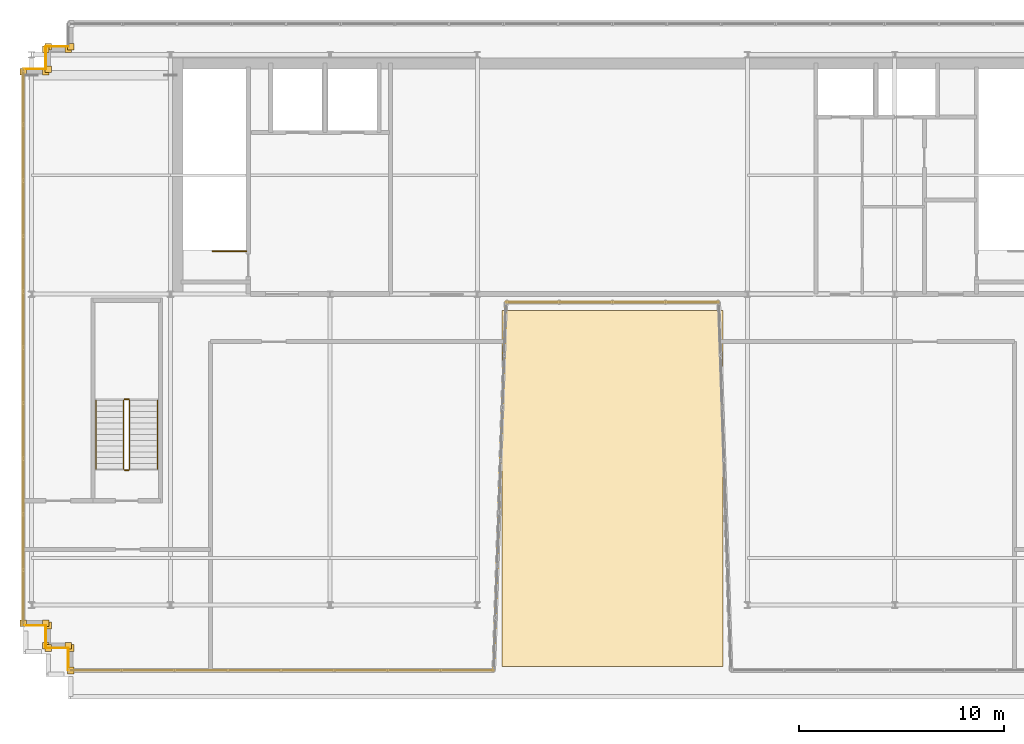
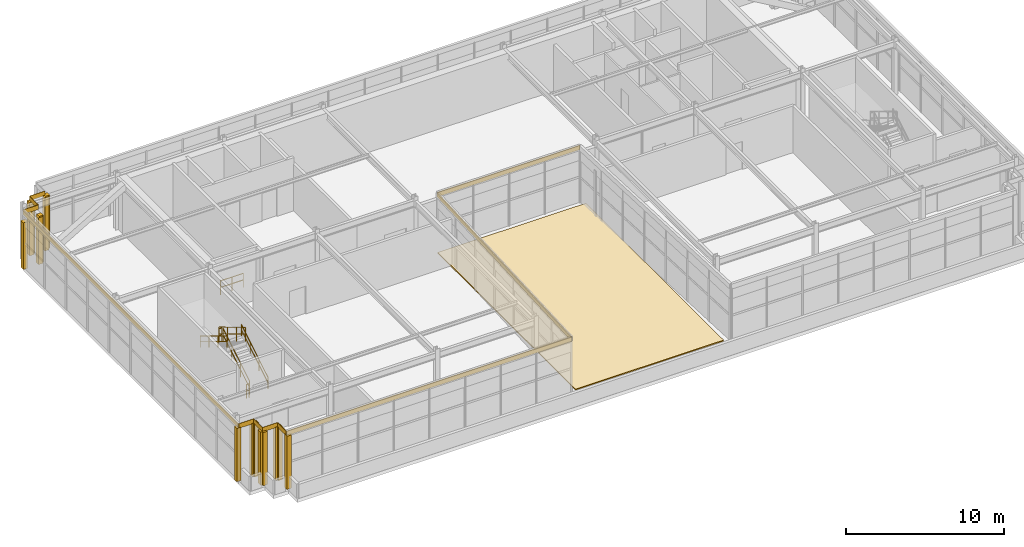
# One storey, part 35 of 37: 27 coverings, 7 railings.
"""IFC4 building model written with IfcOpenShell, lengths in metres."""

from ifc_helpers import new_model, si_unit, direction, frame, origin, origin_2d, place, context, subcontext, project, spatial, polyline, rectangle, outline, extrude, source, transform, mapped, material, layer, layer_set, type_object, element, save


model = new_model("IFC4")

# Units and contexts
model_context = context("Model", 3, precision=1e-05, world=origin(), true_north=direction((0.0, 1.0)))
body_context = subcontext(model_context, "Body", "Model", "MODEL_VIEW")
ifc_project = project(units=[si_unit("LENGTHUNIT", "METRE"), si_unit("AREAUNIT", "SQUARE_METRE"), si_unit("VOLUMEUNIT", "CUBIC_METRE"), si_unit("PLANEANGLEUNIT", "RADIAN"), si_unit("MASSUNIT", "GRAM", prefix="KILO")], contexts=[model_context])

# Site, building, storey
site_placement = place(None, origin())
site = spatial("IfcSite", under=ifc_project, at=site_placement, CompositionType="ELEMENT")
building_placement = place(site_placement, origin())
building = spatial("IfcBuilding", under=site, at=building_placement, Name="Trelvane Seafront Commons", CompositionType="ELEMENT")
storey_placement = place(building_placement, frame((0.0, 0.0, 303.5)))
storey = spatial("IfcBuildingStorey", under=building, at=storey_placement, Name="L79", CompositionType="ELEMENT", Elevation=303.5)

# Covering
ifc_material_1 = material(Name="Polymer-Modified Bitumen Membrane")
ifc_layer_1 = layer(ifc_material_1, 0.080078125, Name="ARCH-COV-ROOF80")
ifc_layer_set_1 = layer_set([ifc_layer_1], Name="Polymer-Modified Bitumen Membrane")
covering_type_1 = type_object("IfcCoveringType", Name="ARCH-COV-ROOF80", PredefinedType="ROOFING", material=ifc_layer_set_1)
covering_1_placement = place(storey_placement, origin())
element("IfcCovering", 1, at=covering_1_placement, inside=storey, type_object=covering_type_1, Name="COV-ROOF-L79-07", PredefinedType="ROOFING", context=body_context, shape_type="SweptSolid", body=[
    extrude(outline(polyline([(31.800048828125, 15.199951171875), (42.60009765625, 15.199951171875), (42.60009765625, 32.60009765625), (31.800048828125, 32.60009765625), (31.800048828125, 15.199951171875)])), origin(), (0.0, 0.0, 1.0), 0.080078125),
])

# Railings
ifc_material_2 = material(Name="Stainless steel balustrade", Category="steel")
railing_type_1 = type_object("IfcRailingType", Name="ARCH-SRL-GUARD", PredefinedType="GUARDRAIL", material=ifc_material_2)
railing_1_placement = place(storey_placement, frame((19.300048828125, 35.5, 0.0)))
element("IfcRailing", 2, at=railing_1_placement, inside=storey, type_object=railing_type_1, Name="L79 ST-1 top well guard 1", PredefinedType="GUARDRAIL", context=body_context, shape_type="SweptSolid", body=[
    extrude(rectangle(XDim=0.048095703125, YDim=0.048095703125, at=origin_2d()), frame((0.0, 0.0, 1.076171875), z_axis=(-1.0, 0.0, 0.0), x_axis=(0.0, -1.0, 0.0)), (0.0, 0.0, 1.0), 1.650146484375),
    extrude(rectangle(XDim=0.048095703125, YDim=0.048095703125, at=origin_2d()), frame((0.0, 0.0, 0.572021484375), z_axis=(-1.0, 0.0, 0.0), x_axis=(0.0, -1.0, 0.0)), (0.0, 0.0, 1.0), 1.650146484375),
    extrude(rectangle(XDim=0.0419921875, YDim=0.0419921875, at=origin_2d()), origin(), (0.0, 0.0, 1.0), 1.076171875),
    extrude(rectangle(XDim=0.0419921875, YDim=0.0419921875, at=origin_2d()), frame((-0.8251953125, 0.0, 0.0)), (0.0, 0.0, 1.0), 1.076171875),
    extrude(rectangle(XDim=0.0419921875, YDim=0.0419921875, at=origin_2d()), frame((-1.650146484375, 0.0, 0.0)), (0.0, 0.0, 1.0), 1.076171875),
])
railing_2_placement = place(storey_placement, frame((13.60009765625, 24.85009765625, 0.169189453125)))
element("IfcRailing", 3, at=railing_2_placement, inside=storey, type_object=railing_type_1, Name="L79 ST-5 stair guard 1", PredefinedType="GUARDRAIL", context=body_context, shape_type="SweptSolid", body=[
    extrude(rectangle(XDim=0.048095703125, YDim=0.048095703125, at=origin_2d()), frame((0.0, 0.0, 1.076171875), z_axis=(0.0, 0.855820338506, 0.51727318527), x_axis=(-1.0, 0.0, 0.0)), (0.0, 0.0, 1.0), 3.92578125),
    extrude(rectangle(XDim=0.048095703125, YDim=0.048095703125, at=origin_2d()), frame((0.0, 0.0, 0.572021484375), z_axis=(0.0, 0.855820338506, 0.51727318527), x_axis=(-1.0, 0.0, 0.0)), (0.0, 0.0, 1.0), 3.92578125),
    extrude(rectangle(XDim=0.0419921875, YDim=0.0419921875, at=origin_2d()), origin(), (0.0, 0.0, 1.0), 1.076171875),
    extrude(rectangle(XDim=0.0419921875, YDim=0.0419921875, at=origin_2d()), frame((0.0, 1.119873046875, 0.677001953125)), (0.0, 0.0, 1.0), 1.076171875),
    extrude(rectangle(XDim=0.0419921875, YDim=0.0419921875, at=origin_2d()), frame((0.0, 2.239990234375, 1.353759765625)), (0.0, 0.0, 1.0), 1.076171875),
    extrude(rectangle(XDim=0.0419921875, YDim=0.0419921875, at=origin_2d()), frame((0.0, 3.35986328125, 2.03076171875)), (0.0, 0.0, 1.0), 1.076171875),
])
railing_3_placement = place(storey_placement, frame((13.550048828125, 28.260009765625, 2.199951171875)))
element("IfcRailing", 4, at=railing_3_placement, inside=storey, type_object=railing_type_1, Name="L79 ST-5 stair guard 2", PredefinedType="GUARDRAIL", context=body_context, shape_type="SweptSolid", body=[
    extrude(rectangle(XDim=0.048095703125, YDim=0.048095703125, at=origin_2d()), frame((0.0, 0.0, 1.076171875), z_axis=(-1.0, 0.0, 0.0), x_axis=(0.0, -1.0, 0.0)), (0.0, 0.0, 1.0), 0.199951171875),
    extrude(rectangle(XDim=0.048095703125, YDim=0.048095703125, at=origin_2d()), frame((0.0, 0.0, 0.572021484375), z_axis=(-1.0, 0.0, 0.0), x_axis=(0.0, -1.0, 0.0)), (0.0, 0.0, 1.0), 0.199951171875),
    extrude(rectangle(XDim=0.0419921875, YDim=0.0419921875, at=origin_2d()), origin(), (0.0, 0.0, 1.0), 1.076171875),
    extrude(rectangle(XDim=0.0419921875, YDim=0.0419921875, at=origin_2d()), frame((-0.199951171875, 0.0, 0.0)), (0.0, 0.0, 1.0), 1.076171875),
])
railing_4_placement = place(storey_placement, frame((13.300048828125, 28.2099609375, 2.369140625)))
element("IfcRailing", 5, at=railing_4_placement, inside=storey, type_object=railing_type_1, Name="L79 ST-5 stair guard 3", PredefinedType="GUARDRAIL", context=body_context, shape_type="SweptSolid", body=[
    extrude(rectangle(XDim=0.048095703125, YDim=0.048095703125, at=origin_2d()), frame((0.0, 0.0, 1.076171875), z_axis=(0.0, -0.855820338506, 0.51727318527), x_axis=(1.0, 0.0, 0.0)), (0.0, 0.0, 1.0), 3.92578125),
    extrude(rectangle(XDim=0.048095703125, YDim=0.048095703125, at=origin_2d()), frame((0.0, 0.0, 0.572021484375), z_axis=(0.0, -0.855820338506, 0.51727318527), x_axis=(1.0, 0.0, 0.0)), (0.0, 0.0, 1.0), 3.92578125),
    extrude(rectangle(XDim=0.0419921875, YDim=0.0419921875, at=origin_2d()), origin(), (0.0, 0.0, 1.0), 1.076171875),
    extrude(rectangle(XDim=0.0419921875, YDim=0.0419921875, at=origin_2d()), frame((0.0, -1.119873046875, 0.677001953125)), (0.0, 0.0, 1.0), 1.076171875),
    extrude(rectangle(XDim=0.0419921875, YDim=0.0419921875, at=origin_2d()), frame((0.0, -2.239990234375, 1.353759765625)), (0.0, 0.0, 1.0), 1.076171875),
    extrude(rectangle(XDim=0.0419921875, YDim=0.0419921875, at=origin_2d()), frame((0.0, -3.35986328125, 2.03076171875)), (0.0, 0.0, 1.0), 1.076171875),
])
railing_5_placement = place(storey_placement, frame((13.550048828125, 24.800048828125, 0.0)))
element("IfcRailing", 6, at=railing_5_placement, inside=storey, type_object=railing_type_1, Name="L79 ST-5 stair guard 4", PredefinedType="GUARDRAIL", context=body_context, shape_type="SweptSolid", body=[
    extrude(rectangle(XDim=0.048095703125, YDim=0.048095703125, at=origin_2d()), frame((0.0, 0.0, 1.076171875), z_axis=(-1.0, 0.0, 0.0), x_axis=(0.0, -1.0, 0.0)), (0.0, 0.0, 1.0), 0.199951171875),
    extrude(rectangle(XDim=0.048095703125, YDim=0.048095703125, at=origin_2d()), frame((0.0, 0.0, 0.572021484375), z_axis=(-1.0, 0.0, 0.0), x_axis=(0.0, -1.0, 0.0)), (0.0, 0.0, 1.0), 0.199951171875),
    extrude(rectangle(XDim=0.0419921875, YDim=0.0419921875, at=origin_2d()), origin(), (0.0, 0.0, 1.0), 1.076171875),
    extrude(rectangle(XDim=0.0419921875, YDim=0.0419921875, at=origin_2d()), frame((-0.199951171875, 0.0, 0.0)), (0.0, 0.0, 1.0), 1.076171875),
])
railing_type_2 = type_object("IfcRailingType", Name="ARCH-SRL-HAND", PredefinedType="HANDRAIL", material=ifc_material_2)
railing_6_placement = place(storey_placement, frame((14.949951171875, 24.85009765625, 0.169189453125)))
element("IfcRailing", 7, at=railing_6_placement, inside=storey, type_object=railing_type_2, Name="L79 ST-5 stair handrail 1", PredefinedType="HANDRAIL", context=body_context, shape_type="SweptSolid", body=[
    extrude(rectangle(XDim=0.048095703125, YDim=0.048095703125, at=origin_2d()), frame((0.0, 0.0, 0.8759765625), z_axis=(0.0, 0.855820338506, 0.51727318527), x_axis=(-1.0, 0.0, 0.0)), (0.0, 0.0, 1.0), 3.92578125),
    extrude(rectangle(XDim=0.048095703125, YDim=0.048095703125, at=origin_2d()), frame((0.0, 0.0, 0.468017578125), z_axis=(0.0, 0.855820338506, 0.51727318527), x_axis=(-1.0, 0.0, 0.0)), (0.0, 0.0, 1.0), 3.92578125),
    extrude(rectangle(XDim=0.0419921875, YDim=0.0419921875, at=origin_2d()), origin(), (0.0, 0.0, 1.0), 0.8759765625),
    extrude(rectangle(XDim=0.0419921875, YDim=0.0419921875, at=origin_2d()), frame((0.0, 1.119873046875, 0.677001953125)), (0.0, 0.0, 1.0), 0.8759765625),
    extrude(rectangle(XDim=0.0419921875, YDim=0.0419921875, at=origin_2d()), frame((0.0, 2.239990234375, 1.353759765625)), (0.0, 0.0, 1.0), 0.8759765625),
    extrude(rectangle(XDim=0.0419921875, YDim=0.0419921875, at=origin_2d()), frame((0.0, 3.35986328125, 2.03076171875)), (0.0, 0.0, 1.0), 0.8759765625),
])
railing_7_placement = place(storey_placement, frame((11.949951171875, 28.2099609375, 2.369140625)))
element("IfcRailing", 8, at=railing_7_placement, inside=storey, type_object=railing_type_2, Name="L79 ST-5 stair handrail 2", PredefinedType="HANDRAIL", context=body_context, shape_type="SweptSolid", body=[
    extrude(rectangle(XDim=0.048095703125, YDim=0.048095703125, at=origin_2d()), frame((0.0, 0.0, 0.8759765625), z_axis=(0.0, -0.855820338506, 0.51727318527), x_axis=(1.0, 0.0, 0.0)), (0.0, 0.0, 1.0), 3.92578125),
    extrude(rectangle(XDim=0.048095703125, YDim=0.048095703125, at=origin_2d()), frame((0.0, 0.0, 0.468017578125), z_axis=(0.0, -0.855820338506, 0.51727318527), x_axis=(1.0, 0.0, 0.0)), (0.0, 0.0, 1.0), 3.92578125),
    extrude(rectangle(XDim=0.0419921875, YDim=0.0419921875, at=origin_2d()), origin(), (0.0, 0.0, 1.0), 0.8759765625),
    extrude(rectangle(XDim=0.0419921875, YDim=0.0419921875, at=origin_2d()), frame((0.0, -1.119873046875, 0.677001953125)), (0.0, 0.0, 1.0), 0.8759765625),
    extrude(rectangle(XDim=0.0419921875, YDim=0.0419921875, at=origin_2d()), frame((0.0, -2.239990234375, 1.353759765625)), (0.0, 0.0, 1.0), 0.8759765625),
    extrude(rectangle(XDim=0.0419921875, YDim=0.0419921875, at=origin_2d()), frame((0.0, -3.35986328125, 2.03076171875)), (0.0, 0.0, 1.0), 0.8759765625),
])

# Coverings
ifc_material_3 = material(Name="Anodised pale-silver aluminium", Category="aluminium")
ifc_layer_2 = layer(ifc_material_3, 0.034912109375, Name="ARCH-COV-CLAD35")
ifc_layer_set_2 = layer_set([ifc_layer_2], Name="Anodised pale-silver aluminium")
covering_type_2 = type_object("IfcCoveringType", Name="ARCH-COV-CLAD35", PredefinedType="CLADDING", material=ifc_layer_set_2)
shared_shape_1 = source(origin(), body_context, "Body", "SweptSolid", [
    extrude(rectangle(XDim=0.320068359375, YDim=0.320068359375, at=origin_2d()), origin(), (0.0, 0.0, 1.0), 4.10009765625),
])
for number, where, z_axis, x_axis, name in (
    (9, (10.60009765625, 16.219970703125, 0.0), (0.0, 0.0, 1.0), (1.0, 0.0, 0.0), "CLD-CP-L79-00367"),
    (10, (9.5, 16.219970703125, 0.0), (0.0, 0.0, 1.0), (1.0, 0.0, 0.0), "CLD-CP-L79-00368"),
    (11, (9.6201171875, 16.10009765625, 0.0), (0.0, 0.0, 1.0), (1.0, 0.0, 0.0), "CLD-CP-L79-00370"),
    (12, (9.6201171875, 17.199951171875, 0.0), (0.0, 0.0, 1.0), (1.0, 0.0, 0.0), "CLD-CP-L79-00371"),
    (13, (9.5, 17.320068359375, 0.0), (0.0, 0.0, 1.0), (1.0, 0.0, 0.0), "CLD-CP-L79-00373"),
    (14, (8.39990234375, 17.320068359375, 0.0), (0.0, 0.0, 1.0), (1.0, 0.0, 0.0), "CLD-CP-L79-00374"),
    (15, (9.5, 45.3798828125, 0.0), (0.0, 0.0, 1.0), (1.0, 0.0, 0.0), "CLD-CP-L79-00383"),
    (16, (10.60009765625, 45.3798828125, 0.0), (0.0, 0.0, 1.0), (1.0, 0.0, 0.0), "CLD-CP-L79-00384"),
    (17, (10.719970703125, 45.5, 0.0), (0.0, 0.0, 1.0), (1.0, 0.0, 0.0), "CLD-CP-L79-00386"),
    (18, (10.719970703125, 15.0, 0.0), (0.0, 0.0, 1.0), (1.0, 0.0, 0.0), "CLD-CP-L79-00420"),
    (19, (10.719970703125, 16.10009765625, 0.0), (0.0, 0.0, 1.0), (1.0, 0.0, 0.0), "CLD-CP-L79-00421"),
):
    element("IfcCovering", number, at=place(storey_placement, frame(where, z_axis=z_axis, x_axis=x_axis)), inside=storey, type_object=covering_type_2, Name=name, PredefinedType="CLADDING", context=body_context, shape_type="MappedRepresentation", body=[
        mapped(shared_shape_1, transform((0.0, 0.0, 0.0), x_axis=(1.0, 0.0, 0.0), y_axis=(0.0, 1.0, 0.0), z_axis=(0.0, 0.0, 1.0), scale=1.0)),
    ])
shared_shape_2 = source(origin(), body_context, "Body", "SweptSolid", [
    extrude(rectangle(XDim=1.10009765625, YDim=0.034912109375, at=origin_2d()), origin(), (0.0, 0.0, 1.0), 0.35009765625),
])
for number, where, z_axis, x_axis, name in (
    (20, (10.050048828125, 16.10009765625, 4.050048828125), (0.0, 0.0, 1.0), (-1.0, 0.0, 0.0), "CLD-L79-0369"),
    (21, (9.5, 16.64990234375, 4.050048828125), (0.0, 0.0, 1.0), (0.0, 1.0, 0.0), "CLD-L79-0372"),
    (22, (8.949951171875, 17.199951171875, 4.050048828125), (0.0, 0.0, 1.0), (-1.0, 0.0, 0.0), "CLD-L79-0375"),
    (23, (8.949951171875, 44.39990234375, 4.050048828125), (0.0, 0.0, 1.0), (1.0, 0.0, 0.0), "CLD-L79-0379"),
    (24, (9.5, 44.949951171875, 4.050048828125), (0.0, 0.0, 1.0), (0.0, 1.0, 0.0), "CLD-L79-0382"),
    (25, (10.050048828125, 45.5, 4.050048828125), (0.0, 0.0, 1.0), (1.0, 0.0, 0.0), "CLD-L79-0385"),
    (26, (10.60009765625, 15.550048828125, 4.050048828125), (0.0, 0.0, 1.0), (0.0, 1.0, 0.0), "CLD-L79-0422"),
):
    element("IfcCovering", number, at=place(storey_placement, frame(where, z_axis=z_axis, x_axis=x_axis)), inside=storey, type_object=covering_type_2, Name=name, PredefinedType="CLADDING", context=body_context, shape_type="MappedRepresentation", body=[
        mapped(shared_shape_2, transform((0.0, 0.0, 0.0), x_axis=(1.0, 0.0, 0.0), y_axis=(0.0, 1.0, 0.0), z_axis=(0.0, 0.0, 1.0), scale=1.0)),
    ])
shared_shape_3 = source(origin(), body_context, "Body", "SweptSolid", [
    extrude(rectangle(XDim=27.199951171875, YDim=0.034912109375, at=origin_2d()), origin(), (0.0, 0.0, 1.0), 0.35009765625),
])
covering_2_placement = place(storey_placement, frame((8.39990234375, 30.800048828125, 4.050048828125), z_axis=(0.0, 0.0, 1.0), x_axis=(0.0, 1.0, 0.0)))
element("IfcCovering", 27, at=covering_2_placement, inside=storey, type_object=covering_type_2, Name="CLD-L79-0376", PredefinedType="CLADDING", context=body_context, shape_type="MappedRepresentation", body=[
    mapped(shared_shape_3, transform((0.0, 0.0, 0.0), x_axis=(1.0, 0.0, 0.0), y_axis=(0.0, 1.0, 0.0), z_axis=(0.0, 0.0, 1.0), scale=1.0)),
])
shared_shape_4 = source(origin(), body_context, "Body", "SweptSolid", [
    extrude(rectangle(XDim=0.320068359375, YDim=0.320068359375, at=origin_2d()), origin(), (0.0, 0.0, 1.0), 3.60009765625),
])
for number, where, z_axis, x_axis, name in (
    (28, (8.39990234375, 44.280029296875, 0.0), (0.0, 0.0, 1.0), (1.0, 0.0, 0.0), "CLD-CP-L79-00377"),
    (29, (9.5, 44.280029296875, 0.0), (0.0, 0.0, 1.0), (1.0, 0.0, 0.0), "CLD-CP-L79-00378"),
    (30, (9.6201171875, 44.39990234375, 0.0), (0.0, 0.0, 1.0), (1.0, 0.0, 0.0), "CLD-CP-L79-00380"),
    (31, (9.6201171875, 45.5, 0.0), (0.0, 0.0, 1.0), (1.0, 0.0, 0.0), "CLD-CP-L79-00381"),
):
    element("IfcCovering", number, at=place(storey_placement, frame(where, z_axis=z_axis, x_axis=x_axis)), inside=storey, type_object=covering_type_2, Name=name, PredefinedType="CLADDING", context=body_context, shape_type="MappedRepresentation", body=[
        mapped(shared_shape_4, transform((0.0, 0.0, 0.0), x_axis=(1.0, 0.0, 0.0), y_axis=(0.0, 1.0, 0.0), z_axis=(0.0, 0.0, 1.0), scale=1.0)),
    ])
shared_shape_5 = source(origin(), body_context, "Body", "SweptSolid", [
    extrude(rectangle(XDim=20.800048828125, YDim=0.034912109375, at=origin_2d()), origin(), (0.0, 0.0, 1.0), 0.35009765625),
])
covering_3_placement = place(storey_placement, frame((21.0, 15.0, 4.050048828125), z_axis=(0.0, 0.0, 1.0), x_axis=(-1.0, 0.0, 0.0)))
element("IfcCovering", 32, at=covering_3_placement, inside=storey, type_object=covering_type_2, Name="CLD-L79-0419", PredefinedType="CLADDING", context=body_context, shape_type="MappedRepresentation", body=[
    mapped(shared_shape_5, transform((0.0, 0.0, 0.0), x_axis=(1.0, 0.0, 0.0), y_axis=(0.0, 1.0, 0.0), z_axis=(0.0, 0.0, 1.0), scale=1.0)),
])
shared_shape_6 = source(origin(), body_context, "Body", "SweptSolid", [
    extrude(rectangle(XDim=18.010009765625, YDim=0.034912109375, at=origin_2d()), origin(), (0.0, 0.0, 1.0), 0.35009765625),
])
covering_4_placement = place(storey_placement, frame((31.699951171875, 24.0, 4.050048828125), z_axis=(0.0, 0.0, 1.0), x_axis=(-0.033315659973, -0.999444879321, 0.0)))
element("IfcCovering", 33, at=covering_4_placement, inside=storey, type_object=covering_type_2, Name="CLD-L79-0418", PredefinedType="CLADDING", context=body_context, shape_type="MappedRepresentation", body=[
    mapped(shared_shape_6, transform((0.0, 0.0, 0.0), x_axis=(1.0, 0.0, 0.0), y_axis=(0.0, 1.0, 0.0), z_axis=(0.0, 0.0, 1.0), scale=1.0)),
])
shared_shape_7 = source(origin(), body_context, "Body", "SweptSolid", [
    extrude(rectangle(XDim=10.39990234375, YDim=0.034912109375, at=origin_2d()), origin(), (0.0, 0.0, 1.0), 0.35009765625),
])
covering_5_placement = place(storey_placement, frame((37.199951171875, 33.0, 4.050048828125), z_axis=(0.0, 0.0, 1.0), x_axis=(-1.0, 0.0, 0.0)))
element("IfcCovering", 34, at=covering_5_placement, inside=storey, type_object=covering_type_2, Name="CLD-L79-0417", PredefinedType="CLADDING", context=body_context, shape_type="MappedRepresentation", body=[
    mapped(shared_shape_7, transform((0.0, 0.0, 0.0), x_axis=(1.0, 0.0, 0.0), y_axis=(0.0, 1.0, 0.0), z_axis=(0.0, 0.0, 1.0), scale=1.0)),
])

save(model, "model.ifc")
